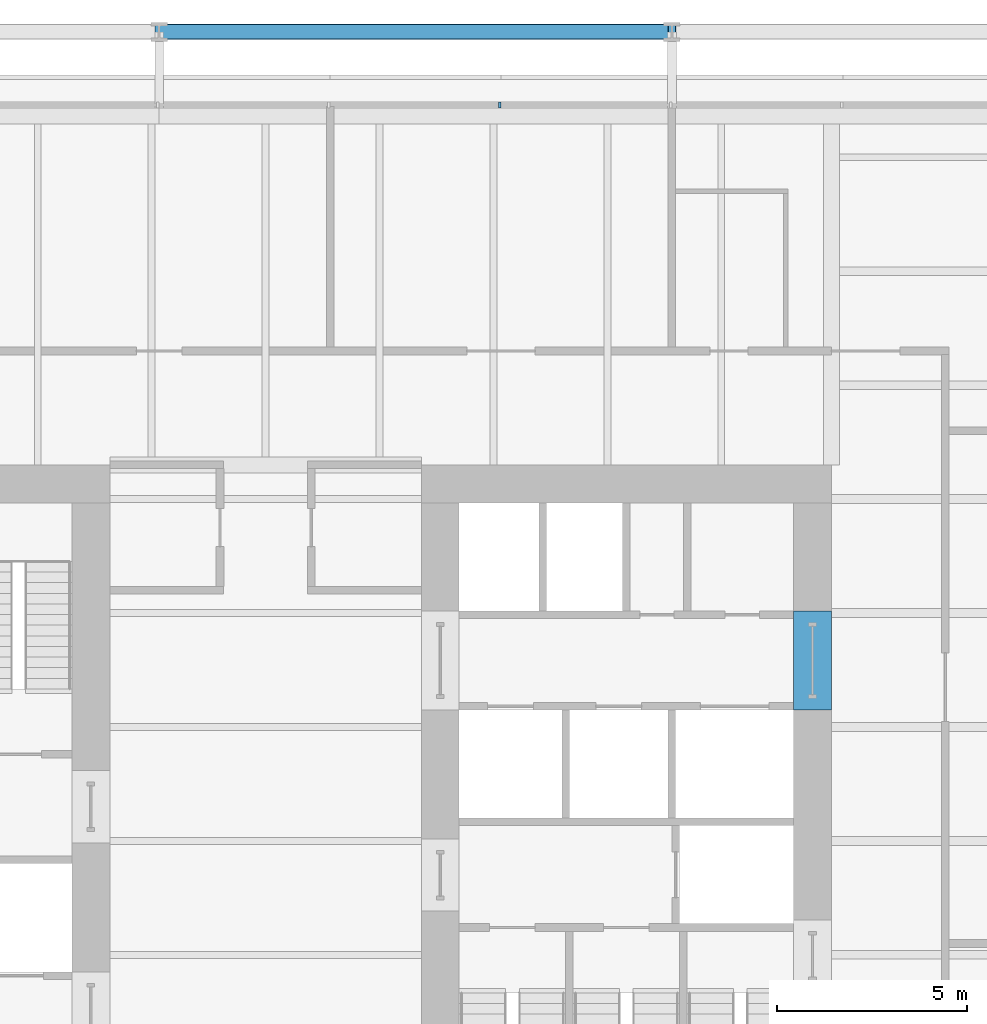
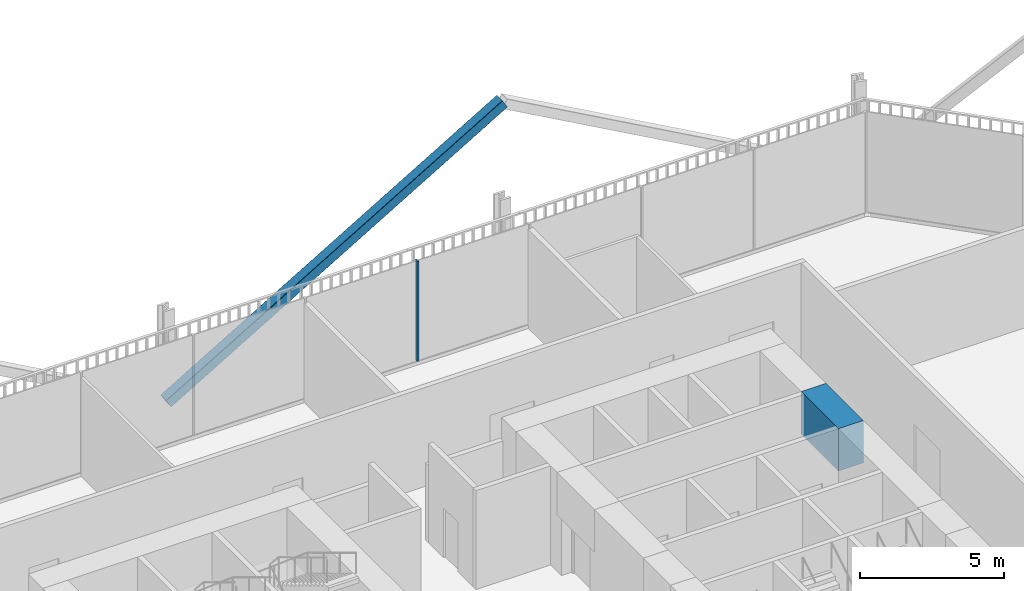
# One storey, part 14 of 21: 2 members, 1 beam, 1 element without a shape of its own.
"""IFC4 building model written with IfcOpenShell, lengths in metres."""

from ifc_helpers import new_model, si_unit, direction, frame, origin, origin_2d, place, context, subcontext, project, spatial, rectangle, hollow_rectangle, extrude, material, layer, layer_set, material_profile, profile_set, type_object, element, aggregate, save


model = new_model("IFC4")

# Units and contexts
model_context = context("Model", 3, precision=1e-05, world=origin(), true_north=direction((0.0, 1.0)))
body_context = subcontext(model_context, "Body", "Model", "MODEL_VIEW")
ifc_project = project(units=[si_unit("LENGTHUNIT", "METRE"), si_unit("AREAUNIT", "SQUARE_METRE"), si_unit("VOLUMEUNIT", "CUBIC_METRE"), si_unit("PLANEANGLEUNIT", "RADIAN"), si_unit("MASSUNIT", "GRAM", prefix="KILO")], contexts=[model_context])

# Site, building, storey
site_placement = place(None, origin())
site = spatial("IfcSite", under=ifc_project, at=site_placement, CompositionType="ELEMENT")
building_placement = place(site_placement, origin())
building = spatial("IfcBuilding", under=site, at=building_placement, Name="Millrace Tower", CompositionType="ELEMENT")
storey_placement = place(building_placement, frame((0.0, 0.0, 82.0)))
storey = spatial("IfcBuildingStorey", under=building, at=storey_placement, Name="L18", CompositionType="ELEMENT", Elevation=82.0)

# Curtain wall, member
ifc_material_1 = material(Name="Aluminium and glass", Category="aluminium")
ifc_layer = layer(ifc_material_1, 0.14990234375)
ifc_layer_set = layer_set([ifc_layer], Name="Aluminium and glass")
curtain_wall_type = type_object("IfcCurtainWallType", Name="CW-3 telecom floor curtain wall", PredefinedType="NOTDEFINED", material=ifc_layer_set)
curtain_wall_placement = place(storey_placement, origin())
curtain_wall = element("IfcCurtainWall", 1, at=curtain_wall_placement, inside=storey, type_object=curtain_wall_type, Name="Curtain wall B-F06 L18", PredefinedType="NOTDEFINED")
ifc_material_2 = material(Name="Aluminium", Category="aluminium")
ifc_material_profile_1 = material_profile(ifc_material_2, rectangle(XDim=0.06494140625, YDim=0.14990234375, at=origin_2d()))
ifc_profile_set_1 = profile_set([ifc_material_profile_1], Name="Aluminium")
member_type_1 = type_object("IfcMemberType", Name="CW-3 telecom floor curtain wall mullion", PredefinedType="MULLION", material=ifc_profile_set_1)
member_1_placement = place(storey_placement, frame((6.16748046875, 19.375, 0.14990234375), z_axis=(0.0, 0.0, 1.0), x_axis=(-1.0, 0.0, 0.0)))
member_1 = element("IfcMember", 2, at=member_1_placement, type_object=member_type_1, Name="CW3 mullion B-F06.5", PredefinedType="MULLION", context=body_context, shape_type="SweptSolid", body=[
    extrude(rectangle(XDim=0.06494140625, YDim=0.14990234375, at=origin_2d()), origin(), (0.0, 0.0, 1.0), 4.25),
])
aggregate(curtain_wall, [member_1])

# Beam
ifc_material_3 = material(Name="Concrete C80", Category="concrete")
ifc_material_profile_2 = material_profile(ifc_material_3, rectangle(XDim=1.0, YDim=1.800048828125, at=origin_2d()))
ifc_profile_set_2 = profile_set([ifc_material_profile_2], Name="Concrete C80")
beam_type = type_object("IfcBeamType", Name="Coupling beam 1000 x 1800 Concrete C80, 2000 opening", PredefinedType="BEAM", material=ifc_profile_set_2)
beam_placement = place(storey_placement, frame((14.39990234375, 6.050048828125, 3.300048828125), z_axis=(0.0, -1.0, 0.0), x_axis=(1.0, 0.0, 0.0)))
element("IfcBeam", 3, at=beam_placement, inside=storey, type_object=beam_type, Name="Coupling beam E L18", PredefinedType="BEAM", context=body_context, shape_type="SweptSolid", body=[
    extrude(rectangle(XDim=1.0, YDim=1.800048828125, at=origin_2d()), origin(), (0.0, 0.0, 1.0), 2.60009765625),
])

# Member
ifc_material_4 = material(Name="Steel ASTM A500 Grade C", Category="steel")
ifc_material_profile_3 = material_profile(ifc_material_4, hollow_rectangle(XDim=0.406494140625, YDim=0.406494140625, WallThickness=0.015869140625, InnerFilletRadius=0.008056640625, OuterFilletRadius=0.02392578125, at=origin_2d()))
ifc_profile_set_3 = profile_set([ifc_material_profile_3], Name="Steel ASTM A500 Grade C")
member_type_2 = type_object("IfcMemberType", Name="Exoskeleton brace HSS16x16x5/8", PredefinedType="BRACE", material=ifc_profile_set_3)
member_2_placement = place(storey_placement, frame((-2.800048828125, 21.300048828125, 0.39990234375), z_axis=(0.860291533634, 0.0, 0.509802390302), x_axis=(0.0, 1.0, 0.0)))
element("IfcMember", 4, at=member_2_placement, inside=storey, type_object=member_type_2, Name="BRC-B-L18-11", PredefinedType="BRACE", context=body_context, shape_type="SweptSolid", body=[
    extrude(hollow_rectangle(XDim=0.406494140625, YDim=0.406494140625, WallThickness=0.015869140625, InnerFilletRadius=0.008056640625, OuterFilletRadius=0.02392578125, at=origin_2d()), origin(), (0.0, 0.0, 1.0), 15.6923828125),
])

save(model, "model.ifc")
